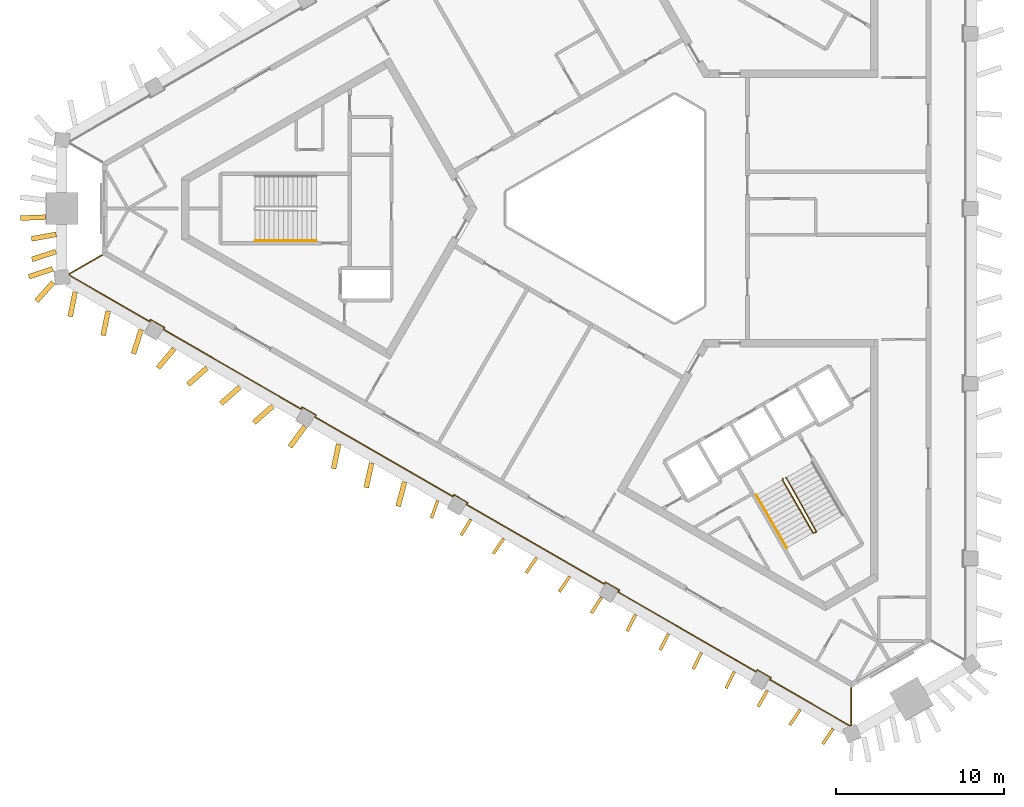
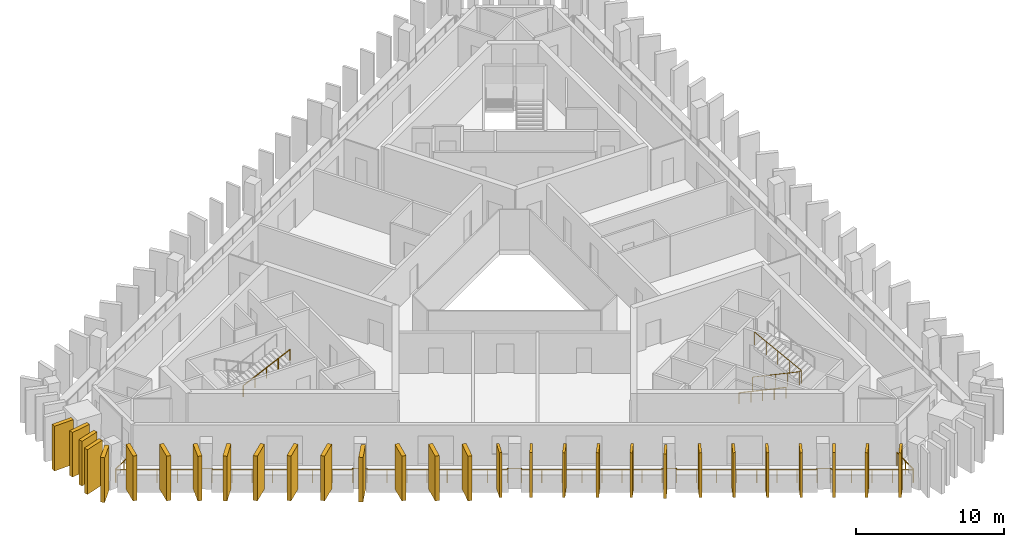
# One storey, part 7 of 9: 29 shading devices, 4 railings.
"""IFC4 building model written with IfcOpenShell, lengths in metres."""

from ifc_helpers import new_model, si_unit, direction, frame, frame_2d, origin, origin_2d, place, context, subcontext, project, spatial, rectangle, circle, extrude, material, layer, layer_set, type_object, element, save


model = new_model("IFC4")

# Units and contexts
model_context = context("Model", 3, precision=1e-05, world=origin(), true_north=direction((0.0, 1.0)))
body_context = subcontext(model_context, "Body", "Model", "MODEL_VIEW")
ifc_project = project(units=[si_unit("LENGTHUNIT", "METRE"), si_unit("AREAUNIT", "SQUARE_METRE"), si_unit("VOLUMEUNIT", "CUBIC_METRE"), si_unit("PLANEANGLEUNIT", "RADIAN"), si_unit("MASSUNIT", "GRAM", prefix="KILO")], contexts=[model_context])

# Site, building, storey
site_placement = place(None, origin())
site = spatial("IfcSite", under=ifc_project, at=site_placement, CompositionType="ELEMENT")
building_placement = place(site_placement, origin())
building = spatial("IfcBuilding", under=site, at=building_placement, Name="Jabali Bay Hotel Tower and Convention Centre", CompositionType="ELEMENT")
storey_placement = place(building_placement, frame((0.0, 0.0, 209.5)))
storey = spatial("IfcBuildingStorey", under=building, at=storey_placement, Name="L51", CompositionType="ELEMENT", Elevation=209.5)

# Railing
ifc_material_1 = material(Name="Glass", Category="glass")
railing_type_1 = type_object("IfcRailingType", Name="Loggia glass guard 1100", PredefinedType="BALUSTRADE", material=ifc_material_1)
railing_1_placement = place(storey_placement, frame((88.271484375, 51.465087890625, 0.0)))
element("IfcRailing", 1, at=railing_1_placement, inside=storey, type_object=railing_type_1, Name="Loggia glass guard L51", PredefinedType="BALUSTRADE", context=body_context, shape_type="SweptSolid", body=[
    extrude(circle(Radius=0.02490234375, at=origin_2d()), frame((0.0, 0.0, 1.0751953125), z_axis=(0.0, -1.0, 0.0), x_axis=(0.991444861374, 0.0, 0.13052619222)), (0.0, 0.0, 1.0), 2.247314453125),
    extrude(circle(Radius=0.02490234375, at=origin_2d()), frame((0.0, -2.247314453125, 1.0751953125), z_axis=(-0.91970817197, -0.392602697916, 0.0), x_axis=(0.38924392741, -0.911839941063, 0.13052619222)), (0.0, 0.0, 1.0), 0.067138671875),
    extrude(circle(Radius=0.02490234375, at=origin_2d()), frame((-0.061767578125, -2.273681640625, 1.0751953125), z_axis=(-0.866015380075, 0.500017361172, 0.0), x_axis=(-0.495739643332, -0.858606498446, 0.13052619222)), (0.0, 0.0, 1.0), 5.517822265625),
    extrude(circle(Radius=0.02490234375, at=origin_2d()), frame((-4.84033203125, 0.4853515625, 1.0751953125), z_axis=(0.500342721131, 0.865827443207, 0.0), x_axis=(-0.858420169404, 0.496062219791, 0.13052619222)), (0.0, 0.0, 1.0), 0.125),
    extrude(circle(Radius=0.02490234375, at=origin_2d()), frame((-4.77783203125, 0.593505859375, 1.0751953125), z_axis=(-0.865988727248, 0.500063520245, 0.0), x_axis=(-0.495785407507, -0.858580073638, 0.13052619222)), (0.0, 0.0, 1.0), 0.9501953125),
    extrude(circle(Radius=0.02490234375, at=origin_2d()), frame((-5.6005859375, 1.068603515625, 1.0751953125), z_axis=(-0.499497219344, -0.8663154898, 0.0), x_axis=(0.858904040691, -0.495223951389, 0.13052619222)), (0.0, 0.0, 1.0), 0.125244140625),
    extrude(circle(Radius=0.02490234375, at=origin_2d()), frame((-5.6630859375, 0.960205078125, 1.0751953125), z_axis=(-0.866013100591, 0.500021309151, 0.0), x_axis=(-0.495743557535, -0.858604238463, 0.13052619222)), (0.0, 0.0, 1.0), 9.4755859375),
    extrude(circle(Radius=0.02490234375, at=origin_2d()), frame((-13.869140625, 5.6982421875, 1.0751953125), z_axis=(0.500342721131, 0.865827443207, 0.0), x_axis=(-0.858420169404, 0.496062219791, 0.13052619222)), (0.0, 0.0, 1.0), 0.125),
    extrude(circle(Radius=0.02490234375, at=origin_2d()), frame((-13.806640625, 5.806396484375, 1.0751953125), z_axis=(-0.865988727248, 0.500063520245, 0.0), x_axis=(-0.495785407507, -0.858580073638, 0.13052619222)), (0.0, 0.0, 1.0), 0.9501953125),
    extrude(circle(Radius=0.02490234375, at=origin_2d()), frame((-14.62939453125, 6.281494140625, 1.0751953125), z_axis=(-0.499497219344, -0.8663154898, 0.0), x_axis=(0.858904040691, -0.495223951389, 0.13052619222)), (0.0, 0.0, 1.0), 0.125244140625),
    extrude(circle(Radius=0.02490234375, at=origin_2d()), frame((-14.69189453125, 6.173095703125, 1.0751953125), z_axis=(-0.866019542174, 0.50001015247, 0.0), x_axis=(-0.495732496301, -0.858610624938, 0.13052619222)), (0.0, 0.0, 1.0), 9.475830078125),
    extrude(circle(Radius=0.02490234375, at=origin_2d()), frame((-22.898193359375, 10.9111328125, 1.0751953125), z_axis=(0.500342721131, 0.865827443207, 0.0), x_axis=(-0.858420169404, 0.496062219791, 0.13052619222)), (0.0, 0.0, 1.0), 0.125),
    extrude(circle(Radius=0.02490234375, at=origin_2d()), frame((-22.835693359375, 11.019287109375, 1.0751953125), z_axis=(-0.865988727248, 0.500063520245, 0.0), x_axis=(-0.495785407507, -0.858580073638, 0.13052619222)), (0.0, 0.0, 1.0), 0.9501953125),
    extrude(circle(Radius=0.02490234375, at=origin_2d()), frame((-23.658447265625, 11.494384765625, 1.0751953125), z_axis=(-0.499497219344, -0.8663154898, 0.0), x_axis=(0.858904040691, -0.495223951389, 0.13052619222)), (0.0, 0.0, 1.0), 0.125244140625),
    extrude(circle(Radius=0.02490234375, at=origin_2d()), frame((-23.720947265625, 11.385986328125, 1.0751953125), z_axis=(-0.866024257407, 0.500001985578, 0.0), x_axis=(-0.495724399278, -0.858615299832, 0.13052619222)), (0.0, 0.0, 1.0), 9.4755859375),
    extrude(circle(Radius=0.02490234375, at=origin_2d()), frame((-31.927001953125, 16.123779296875, 1.0751953125), z_axis=(0.499497219344, 0.8663154898, 0.0), x_axis=(-0.858904040691, 0.495223951389, 0.13052619222)), (0.0, 0.0, 1.0), 0.125244140625),
    extrude(circle(Radius=0.02490234375, at=origin_2d()), frame((-31.864501953125, 16.232177734375, 1.0751953125), z_axis=(-0.866100000774, 0.49987077196, 0.0), x_axis=(-0.495594308211, -0.858690395203, 0.13052619222)), (0.0, 0.0, 1.0), 0.949951171875),
    extrude(circle(Radius=0.02490234375, at=origin_2d()), frame((-32.687255859375, 16.70703125, 1.0751953125), z_axis=(-0.500342721131, -0.865827443207, 0.0), x_axis=(0.858420169404, -0.496062219791, 0.13052619222)), (0.0, 0.0, 1.0), 0.125),
    extrude(circle(Radius=0.02490234375, at=origin_2d()), frame((-32.749755859375, 16.598876953125, 1.0751953125), z_axis=(-0.866030698575, 0.499990829041, 0.0), x_axis=(-0.495713338187, -0.858621685895, 0.13052619222)), (0.0, 0.0, 1.0), 9.475830078125),
    extrude(circle(Radius=0.02490234375, at=origin_2d()), frame((-40.9560546875, 21.336669921875, 1.0751953125), z_axis=(0.499497219344, 0.8663154898, 0.0), x_axis=(-0.858904040691, 0.495223951389, 0.13052619222)), (0.0, 0.0, 1.0), 0.125244140625),
    extrude(circle(Radius=0.02490234375, at=origin_2d()), frame((-40.8935546875, 21.445068359375, 1.0751953125), z_axis=(-0.866100000774, 0.49987077196, 0.0), x_axis=(-0.495594308211, -0.858690395203, 0.13052619222)), (0.0, 0.0, 1.0), 0.949951171875),
    extrude(circle(Radius=0.02490234375, at=origin_2d()), frame((-41.71630859375, 21.919921875, 1.0751953125), z_axis=(-0.500342721131, -0.865827443207, 0.0), x_axis=(0.858420169404, -0.496062219791, 0.13052619222)), (0.0, 0.0, 1.0), 0.125),
    extrude(circle(Radius=0.02490234375, at=origin_2d()), frame((-41.77880859375, 21.811767578125, 1.0751953125), z_axis=(-0.86603453913, 0.499984176783, 0.0), x_axis=(-0.49570674284, -0.858625493593, 0.13052619222)), (0.0, 0.0, 1.0), 5.517822265625),
    extrude(circle(Radius=0.02490234375, at=origin_2d()), frame((-46.557373046875, 24.570556640625, 1.0751953125), z_axis=(-0.120005554105, 0.99277322032, 0.0), x_axis=(-0.984279907796, -0.118978889953, 0.13052619222)), (0.0, 0.0, 1.0), 0.067138671875),
    extrude(circle(Radius=0.02490234375, at=origin_2d()), frame((-46.5654296875, 24.63720703125, 1.0751953125), z_axis=(0.866008297462, 0.50002962785, 0.0), x_axis=(-0.495751805066, 0.858599476426, 0.13052619222)), (0.0, 0.0, 1.0), 2.247314453125),
    extrude(circle(Radius=0.02001953125, at=origin_2d()), origin(), (0.0, 0.0, 1.0), 1.050048828125),
    extrude(circle(Radius=0.02001953125, at=origin_2d()), frame((0.0, -1.12353515625, 0.0)), (0.0, 0.0, 1.0), 1.050048828125),
    extrude(circle(Radius=0.02001953125, at=origin_2d()), frame((0.0, -2.247314453125, 0.0)), (0.0, 0.0, 1.0), 1.050048828125),
    extrude(circle(Radius=0.02001953125, at=origin_2d()), frame((-0.061767578125, -2.273681640625, 0.0)), (0.0, 0.0, 1.0), 1.050048828125),
    extrude(circle(Radius=0.02001953125, at=origin_2d()), frame((-1.25634765625, -1.583984375, 0.0)), (0.0, 0.0, 1.0), 1.050048828125),
    extrude(circle(Radius=0.02001953125, at=origin_2d()), frame((-2.451171875, -0.89404296875, 0.0)), (0.0, 0.0, 1.0), 1.050048828125),
    extrude(circle(Radius=0.02001953125, at=origin_2d()), frame((-3.645751953125, -0.204345703125, 0.0)), (0.0, 0.0, 1.0), 1.050048828125),
    extrude(circle(Radius=0.02001953125, at=origin_2d()), frame((-4.84033203125, 0.4853515625, 0.0)), (0.0, 0.0, 1.0), 1.050048828125),
    extrude(circle(Radius=0.02001953125, at=origin_2d()), frame((-4.77783203125, 0.593505859375, 0.0)), (0.0, 0.0, 1.0), 1.050048828125),
    extrude(circle(Radius=0.02001953125, at=origin_2d()), frame((-5.6005859375, 1.068603515625, 0.0)), (0.0, 0.0, 1.0), 1.050048828125),
    extrude(circle(Radius=0.02001953125, at=origin_2d()), frame((-5.6630859375, 0.960205078125, 0.0)), (0.0, 0.0, 1.0), 1.050048828125),
    extrude(circle(Radius=0.02001953125, at=origin_2d()), frame((-6.83544921875, 1.636962890625, 0.0)), (0.0, 0.0, 1.0), 1.050048828125),
    extrude(circle(Radius=0.02001953125, at=origin_2d()), frame((-8.007568359375, 2.31396484375, 0.0)), (0.0, 0.0, 1.0), 1.050048828125),
    extrude(circle(Radius=0.02001953125, at=origin_2d()), frame((-9.179931640625, 2.99072265625, 0.0)), (0.0, 0.0, 1.0), 1.050048828125),
    extrude(circle(Radius=0.02001953125, at=origin_2d()), frame((-10.352294921875, 3.667724609375, 0.0)), (0.0, 0.0, 1.0), 1.050048828125),
    extrude(circle(Radius=0.02001953125, at=origin_2d()), frame((-11.524658203125, 4.344482421875, 0.0)), (0.0, 0.0, 1.0), 1.050048828125),
    extrude(circle(Radius=0.02001953125, at=origin_2d()), frame((-12.69677734375, 5.021484375, 0.0)), (0.0, 0.0, 1.0), 1.050048828125),
    extrude(circle(Radius=0.02001953125, at=origin_2d()), frame((-13.869140625, 5.6982421875, 0.0)), (0.0, 0.0, 1.0), 1.050048828125),
    extrude(circle(Radius=0.02001953125, at=origin_2d()), frame((-13.806640625, 5.806396484375, 0.0)), (0.0, 0.0, 1.0), 1.050048828125),
    extrude(circle(Radius=0.02001953125, at=origin_2d()), frame((-14.62939453125, 6.281494140625, 0.0)), (0.0, 0.0, 1.0), 1.050048828125),
    extrude(circle(Radius=0.02001953125, at=origin_2d()), frame((-14.69189453125, 6.173095703125, 0.0)), (0.0, 0.0, 1.0), 1.050048828125),
    extrude(circle(Radius=0.02001953125, at=origin_2d()), frame((-15.8642578125, 6.849853515625, 0.0)), (0.0, 0.0, 1.0), 1.050048828125),
    extrude(circle(Radius=0.02001953125, at=origin_2d()), frame((-17.03662109375, 7.52685546875, 0.0)), (0.0, 0.0, 1.0), 1.050048828125),
    extrude(circle(Radius=0.02001953125, at=origin_2d()), frame((-18.208984375, 8.20361328125, 0.0)), (0.0, 0.0, 1.0), 1.050048828125),
    extrude(circle(Radius=0.02001953125, at=origin_2d()), frame((-19.381103515625, 8.880615234375, 0.0)), (0.0, 0.0, 1.0), 1.050048828125),
    extrude(circle(Radius=0.02001953125, at=origin_2d()), frame((-20.553466796875, 9.557373046875, 0.0)), (0.0, 0.0, 1.0), 1.050048828125),
    extrude(circle(Radius=0.02001953125, at=origin_2d()), frame((-21.725830078125, 10.234375, 0.0)), (0.0, 0.0, 1.0), 1.050048828125),
    extrude(circle(Radius=0.02001953125, at=origin_2d()), frame((-22.898193359375, 10.9111328125, 0.0)), (0.0, 0.0, 1.0), 1.050048828125),
    extrude(circle(Radius=0.02001953125, at=origin_2d()), frame((-22.835693359375, 11.019287109375, 0.0)), (0.0, 0.0, 1.0), 1.050048828125),
    extrude(circle(Radius=0.02001953125, at=origin_2d()), frame((-23.658447265625, 11.494384765625, 0.0)), (0.0, 0.0, 1.0), 1.050048828125),
    extrude(circle(Radius=0.02001953125, at=origin_2d()), frame((-23.720947265625, 11.385986328125, 0.0)), (0.0, 0.0, 1.0), 1.050048828125),
    extrude(circle(Radius=0.02001953125, at=origin_2d()), frame((-24.893310546875, 12.062744140625, 0.0)), (0.0, 0.0, 1.0), 1.050048828125),
    extrude(circle(Radius=0.02001953125, at=origin_2d()), frame((-26.0654296875, 12.73974609375, 0.0)), (0.0, 0.0, 1.0), 1.050048828125),
    extrude(circle(Radius=0.02001953125, at=origin_2d()), frame((-27.23779296875, 13.41650390625, 0.0)), (0.0, 0.0, 1.0), 1.050048828125),
    extrude(circle(Radius=0.02001953125, at=origin_2d()), frame((-28.41015625, 14.09326171875, 0.0)), (0.0, 0.0, 1.0), 1.050048828125),
    extrude(circle(Radius=0.02001953125, at=origin_2d()), frame((-29.58251953125, 14.77001953125, 0.0)), (0.0, 0.0, 1.0), 1.050048828125),
    extrude(circle(Radius=0.02001953125, at=origin_2d()), frame((-30.754638671875, 15.447021484375, 0.0)), (0.0, 0.0, 1.0), 1.050048828125),
    extrude(circle(Radius=0.02001953125, at=origin_2d()), frame((-31.927001953125, 16.123779296875, 0.0)), (0.0, 0.0, 1.0), 1.050048828125),
    extrude(circle(Radius=0.02001953125, at=origin_2d()), frame((-31.864501953125, 16.232177734375, 0.0)), (0.0, 0.0, 1.0), 1.050048828125),
    extrude(circle(Radius=0.02001953125, at=origin_2d()), frame((-32.687255859375, 16.70703125, 0.0)), (0.0, 0.0, 1.0), 1.050048828125),
    extrude(circle(Radius=0.02001953125, at=origin_2d()), frame((-32.749755859375, 16.598876953125, 0.0)), (0.0, 0.0, 1.0), 1.050048828125),
    extrude(circle(Radius=0.02001953125, at=origin_2d()), frame((-33.922119140625, 17.275634765625, 0.0)), (0.0, 0.0, 1.0), 1.050048828125),
    extrude(circle(Radius=0.02001953125, at=origin_2d()), frame((-35.094482421875, 17.95263671875, 0.0)), (0.0, 0.0, 1.0), 1.050048828125),
    extrude(circle(Radius=0.02001953125, at=origin_2d()), frame((-36.266845703125, 18.62939453125, 0.0)), (0.0, 0.0, 1.0), 1.050048828125),
    extrude(circle(Radius=0.02001953125, at=origin_2d()), frame((-37.43896484375, 19.30615234375, 0.0)), (0.0, 0.0, 1.0), 1.050048828125),
    extrude(circle(Radius=0.02001953125, at=origin_2d()), frame((-38.611328125, 19.98291015625, 0.0)), (0.0, 0.0, 1.0), 1.050048828125),
    extrude(circle(Radius=0.02001953125, at=origin_2d()), frame((-39.78369140625, 20.659912109375, 0.0)), (0.0, 0.0, 1.0), 1.050048828125),
    extrude(circle(Radius=0.02001953125, at=origin_2d()), frame((-40.9560546875, 21.336669921875, 0.0)), (0.0, 0.0, 1.0), 1.050048828125),
    extrude(circle(Radius=0.02001953125, at=origin_2d()), frame((-40.8935546875, 21.445068359375, 0.0)), (0.0, 0.0, 1.0), 1.050048828125),
    extrude(circle(Radius=0.02001953125, at=origin_2d()), frame((-41.71630859375, 21.919921875, 0.0)), (0.0, 0.0, 1.0), 1.050048828125),
    extrude(circle(Radius=0.02001953125, at=origin_2d()), frame((-41.77880859375, 21.811767578125, 0.0)), (0.0, 0.0, 1.0), 1.050048828125),
    extrude(circle(Radius=0.02001953125, at=origin_2d()), frame((-42.973388671875, 22.50146484375, 0.0)), (0.0, 0.0, 1.0), 1.050048828125),
    extrude(circle(Radius=0.02001953125, at=origin_2d()), frame((-44.16796875, 23.191162109375, 0.0)), (0.0, 0.0, 1.0), 1.050048828125),
    extrude(circle(Radius=0.02001953125, at=origin_2d()), frame((-45.36279296875, 23.880859375, 0.0)), (0.0, 0.0, 1.0), 1.050048828125),
    extrude(circle(Radius=0.02001953125, at=origin_2d()), frame((-46.557373046875, 24.570556640625, 0.0)), (0.0, 0.0, 1.0), 1.050048828125),
    extrude(circle(Radius=0.02001953125, at=origin_2d()), frame((-46.5654296875, 24.63720703125, 0.0)), (0.0, 0.0, 1.0), 1.050048828125),
    extrude(circle(Radius=0.02001953125, at=origin_2d()), frame((-45.59228515625, 25.19921875, 0.0)), (0.0, 0.0, 1.0), 1.050048828125),
    extrude(circle(Radius=0.02001953125, at=origin_2d()), frame((-44.619140625, 25.760986328125, 0.0)), (0.0, 0.0, 1.0), 1.050048828125),
])

# Shading devices
ifc_material_2 = material(Name="Precast concrete C60", Category="concrete")
ifc_layer_1 = layer(ifc_material_2, 0.179931640625)
ifc_layer_set_1 = layer_set([ifc_layer_1], Name="Precast concrete C60")
shading_device_type_1 = type_object("IfcShadingDeviceType", Name="Precast fin 3680 x 1100", PredefinedType="USERDEFINED", material=ifc_layer_set_1)
shading_device_1_placement = place(storey_placement, frame((63.652099609375, 62.609619140625, 0.010009765625), z_axis=(0.0, 0.0, 1.0), x_axis=(-0.337516946402, -0.941319452095, 0.0)))
element("IfcShadingDevice", 2, at=shading_device_1_placement, inside=storey, type_object=shading_device_type_1, Name="Fin L51 075", ObjectType="FIN", PredefinedType="USERDEFINED", context=body_context, shape_type="SweptSolid", body=[
    extrude(rectangle(XDim=1.10009765625, YDim=0.179931640625, at=frame_2d((0.550048828125, 0.0))), origin(), (0.0, 0.0, 1.0), 3.679931640625),
])
shading_device_2_placement = place(storey_placement, frame((65.620361328125, 61.4892578125, 0.010009765625), z_axis=(0.0, 0.0, 1.0), x_axis=(-0.521234578831, -0.853413448354, 0.0)))
element("IfcShadingDevice", 3, at=shading_device_2_placement, inside=storey, type_object=shading_device_type_1, Name="Fin L51 076", ObjectType="FIN", PredefinedType="USERDEFINED", context=body_context, shape_type="SweptSolid", body=[
    extrude(rectangle(XDim=1.100341796875, YDim=0.179931640625, at=frame_2d((0.55029296875, 0.0))), origin(), (0.0, 0.0, 1.0), 3.679931640625),
])
for number, where, z_axis, x_axis, name in (
    (4, (67.5791015625, 60.3525390625, 0.010009765625), (0.0, 0.0, 1.0), (-0.567084454292, -0.823659651616, 0.0), "Fin L51 077"),
    (5, (69.540771484375, 59.220947265625, 0.010009765625), (0.0, 0.0, 1.0), (-0.559301309772, -0.828964441269, 0.0), "Fin L51 078"),
    (6, (71.501953125, 58.0888671875, 0.010009765625), (0.0, 0.0, 1.0), (-0.556644989789, -0.830750477185, 0.0), "Fin L51 079"),
):
    element("IfcShadingDevice", number, at=place(storey_placement, frame(where, z_axis=z_axis, x_axis=x_axis)), inside=storey, type_object=shading_device_type_1, Name=name, ObjectType="FIN", PredefinedType="USERDEFINED", context=body_context, shape_type="SweptSolid", body=[
        extrude(rectangle(XDim=1.10009765625, YDim=0.179931640625, at=frame_2d((0.550048828125, 0.0))), origin(), (0.0, 0.0, 1.0), 3.679931640625),
    ])
shading_device_3_placement = place(storey_placement, frame((73.397705078125, 56.84326171875, 0.010009765625), z_axis=(0.0, 0.0, 1.0), x_axis=(-0.542035863072, -0.840355355278, 0.0)))
element("IfcShadingDevice", 7, at=shading_device_3_placement, inside=storey, type_object=shading_device_type_1, Name="Fin L51 080", ObjectType="FIN", PredefinedType="USERDEFINED", context=body_context, shape_type="SweptSolid", body=[
    extrude(rectangle(XDim=1.099853515625, YDim=0.179931640625, at=frame_2d((0.5498046875, 0.0))), origin(), (0.0, 0.0, 1.0), 3.679931640625),
])
shading_device_4_placement = place(storey_placement, frame((75.4248046875, 55.824951171875, 0.010009765625), z_axis=(0.0, 0.0, 1.0), x_axis=(-0.447657424835, -0.894205138651, 0.0)))
element("IfcShadingDevice", 8, at=shading_device_4_placement, inside=storey, type_object=shading_device_type_1, Name="Fin L51 081", ObjectType="FIN", PredefinedType="USERDEFINED", context=body_context, shape_type="SweptSolid", body=[
    extrude(rectangle(XDim=1.10009765625, YDim=0.179931640625, at=frame_2d((0.550048828125, 0.0))), origin(), (0.0, 0.0, 1.0), 3.679931640625),
])
for number, where, z_axis, x_axis, name in (
    (9, (77.3857421875, 54.692138671875, 0.010009765625), (0.0, 0.0, 1.0), (-0.442590842644, -0.896723673161, 0.0), "Fin L51 082"),
    (10, (79.346923828125, 53.559814453125, 0.010009765625), (0.0, 0.0, 1.0), (-0.442590842644, -0.896723673161, 0.0), "Fin L51 083"),
    (11, (81.30810546875, 52.427490234375, 0.010009765625), (0.0, 0.0, 1.0), (-0.442412334296, -0.896811756425, 0.0), "Fin L51 084"),
):
    element("IfcShadingDevice", number, at=place(storey_placement, frame(where, z_axis=z_axis, x_axis=x_axis)), inside=storey, type_object=shading_device_type_1, Name=name, ObjectType="FIN", PredefinedType="USERDEFINED", context=body_context, shape_type="SweptSolid", body=[
        extrude(rectangle(XDim=1.099853515625, YDim=0.179931640625, at=frame_2d((0.5498046875, 0.0))), origin(), (0.0, 0.0, 1.0), 3.679931640625),
    ])
for number, where, z_axis, x_axis, name in (
    (12, (83.272216796875, 51.300048828125, 0.010009765625), (0.0, 0.0, 1.0), (-0.496497427261, -0.868038193124, 0.0), "Fin L51 085"),
    (13, (85.23046875, 50.162841796875, 0.010009765625), (0.0, 0.0, 1.0), (-0.555980009223, -0.831195662491, 0.0), "Fin L51 086"),
    (14, (87.191650390625, 49.030517578125, 0.010009765625), (0.0, 0.0, 1.0), (-0.557053885514, -0.830476350436, 0.0), "Fin L51 087"),
):
    element("IfcShadingDevice", number, at=place(storey_placement, frame(where, z_axis=z_axis, x_axis=x_axis)), inside=storey, type_object=shading_device_type_1, Name=name, ObjectType="FIN", PredefinedType="USERDEFINED", context=body_context, shape_type="SweptSolid", body=[
        extrude(rectangle(XDim=1.10009765625, YDim=0.179931640625, at=frame_2d((0.550048828125, 0.0))), origin(), (0.0, 0.0, 1.0), 3.679931640625),
    ])
ifc_layer_2 = layer(ifc_material_2, 0.300048828125)
ifc_layer_set_2 = layer_set([ifc_layer_2], Name="Precast concrete C60")
shading_device_type_2 = type_object("IfcShadingDeviceType", Name="Precast fin 3680 x 1500", PredefinedType="USERDEFINED", material=ifc_layer_set_2)
shading_device_5_placement = place(storey_placement, frame((40.29736328125, 79.4873046875, 0.010009765625), z_axis=(0.0, 0.0, 1.0), x_axis=(-0.999334975904, -0.036463761949, 0.0)))
element("IfcShadingDevice", 15, at=shading_device_5_placement, inside=storey, type_object=shading_device_type_2, Name="Fin L51 060", ObjectType="FIN", PredefinedType="USERDEFINED", context=body_context, shape_type="SweptSolid", body=[
    extrude(rectangle(XDim=1.499755859375, YDim=0.300048828125, at=frame_2d((0.75, 0.0))), origin(), (0.0, 0.0, 1.0), 3.679931640625),
])
for number, where, z_axis, x_axis, name in (
    (16, (40.938720703125, 78.4619140625, 0.010009765625), (0.0, 0.0, 1.0), (-0.983815180607, -0.179186189222, 0.0), "Fin L51 061"),
    (17, (40.919189453125, 77.436279296875, 0.010009765625), (0.0, 0.0, 1.0), (-0.951080708969, -0.308942527062, 0.0), "Fin L51 062"),
):
    element("IfcShadingDevice", number, at=place(storey_placement, frame(where, z_axis=z_axis, x_axis=x_axis)), inside=storey, type_object=shading_device_type_2, Name=name, ObjectType="FIN", PredefinedType="USERDEFINED", context=body_context, shape_type="SweptSolid", body=[
        extrude(rectangle(XDim=1.5, YDim=0.300048828125, at=frame_2d((0.75, 0.0))), origin(), (0.0, 0.0, 1.0), 3.679931640625),
    ])
shading_device_6_placement = place(storey_placement, frame((40.731689453125, 76.410888671875, 0.010009765625), z_axis=(0.0, 0.0, 1.0), x_axis=(-0.948013799223, -0.318229220034, 0.0)))
element("IfcShadingDevice", 18, at=shading_device_6_placement, inside=storey, type_object=shading_device_type_2, Name="Fin L51 063", ObjectType="FIN", PredefinedType="USERDEFINED", context=body_context, shape_type="SweptSolid", body=[
    extrude(rectangle(XDim=1.499755859375, YDim=0.300048828125, at=frame_2d((0.75, 0.0))), origin(), (0.0, 0.0, 1.0), 3.679931640625),
])
for number, where, z_axis, x_axis, name in (
    (19, (42.06298828125, 75.03759765625, 0.010009765625), (0.0, 0.0, 1.0), (-0.198400456872, -0.980121042889, 0.0), "Fin L51 064"),
    (20, (44.024169921875, 73.9052734375, 0.010009765625), (0.0, 0.0, 1.0), (-0.198400456872, -0.980121042889, 0.0), "Fin L51 065"),
    (21, (45.993408203125, 72.78662109375, 0.010009765625), (0.0, 0.0, 1.0), (-0.305171375349, -0.952297449155, 0.0), "Fin L51 066"),
    (22, (47.95751953125, 71.65966796875, 0.010009765625), (0.0, 0.0, 1.0), (-0.640152379882, -0.768247961618, 0.0), "Fin L51 067"),
):
    element("IfcShadingDevice", number, at=place(storey_placement, frame(where, z_axis=z_axis, x_axis=x_axis)), inside=storey, type_object=shading_device_type_2, Name=name, ObjectType="FIN", PredefinedType="USERDEFINED", context=body_context, shape_type="SweptSolid", body=[
        extrude(rectangle(XDim=1.5, YDim=0.300048828125, at=frame_2d((0.75, 0.0))), origin(), (0.0, 0.0, 1.0), 3.679931640625),
    ])
shading_device_7_placement = place(storey_placement, frame((49.90771484375, 70.50830078125, 0.010009765625), z_axis=(0.0, 0.0, 1.0), x_axis=(-0.749605089459, -0.661885344948, 0.0)))
element("IfcShadingDevice", 23, at=shading_device_7_placement, inside=storey, type_object=shading_device_type_2, Name="Fin L51 068", ObjectType="FIN", PredefinedType="USERDEFINED", context=body_context, shape_type="SweptSolid", body=[
    extrude(rectangle(XDim=1.500244140625, YDim=0.300048828125, at=frame_2d((0.75, 0.0))), origin(), (0.0, 0.0, 1.0), 3.679931640625),
])
shading_device_8_placement = place(storey_placement, frame((51.868896484375, 69.3759765625, 0.010009765625), z_axis=(0.0, 0.0, 1.0), x_axis=(-0.74953377894, -0.661966097492, 0.0)))
element("IfcShadingDevice", 24, at=shading_device_8_placement, inside=storey, type_object=shading_device_type_2, Name="Fin L51 069", ObjectType="FIN", PredefinedType="USERDEFINED", context=body_context, shape_type="SweptSolid", body=[
    extrude(rectangle(XDim=1.5, YDim=0.300048828125, at=frame_2d((0.75, 0.0))), origin(), (0.0, 0.0, 1.0), 3.679931640625),
])
shading_device_9_placement = place(storey_placement, frame((53.830078125, 68.24365234375, 0.010009765625), z_axis=(0.0, 0.0, 1.0), x_axis=(-0.749462442317, -0.662046862055, 0.0)))
element("IfcShadingDevice", 25, at=shading_device_9_placement, inside=storey, type_object=shading_device_type_2, Name="Fin L51 070", ObjectType="FIN", PredefinedType="USERDEFINED", context=body_context, shape_type="SweptSolid", body=[
    extrude(rectangle(XDim=1.499755859375, YDim=0.300048828125, at=frame_2d((0.75, 0.0))), origin(), (0.0, 0.0, 1.0), 3.679931640625),
])
shading_device_10_placement = place(storey_placement, frame((55.740966796875, 67.02392578125, 0.010009765625), z_axis=(0.0, 0.0, 1.0), x_axis=(-0.590742634306, -0.806860049831, 0.0)))
element("IfcShadingDevice", 26, at=shading_device_10_placement, inside=storey, type_object=shading_device_type_2, Name="Fin L51 071", ObjectType="FIN", PredefinedType="USERDEFINED", context=body_context, shape_type="SweptSolid", body=[
    extrude(rectangle(XDim=1.500244140625, YDim=0.300048828125, at=frame_2d((0.75, 0.0))), origin(), (0.0, 0.0, 1.0), 3.679931640625),
])
for number, where, z_axis, x_axis, name in (
    (27, (57.7529296875, 65.9794921875, 0.010009765625), (0.0, 0.0, 1.0), (-0.201997358878, -0.979386066373, 0.0), "Fin L51 072"),
    (28, (59.715087890625, 64.8486328125, 0.010009765625), (0.0, 0.0, 1.0), (-0.214361845968, -0.976754318646, 0.0), "Fin L51 073"),
):
    element("IfcShadingDevice", number, at=place(storey_placement, frame(where, z_axis=z_axis, x_axis=x_axis)), inside=storey, type_object=shading_device_type_2, Name=name, ObjectType="FIN", PredefinedType="USERDEFINED", context=body_context, shape_type="SweptSolid", body=[
        extrude(rectangle(XDim=1.5, YDim=0.300048828125, at=frame_2d((0.75, 0.0))), origin(), (0.0, 0.0, 1.0), 3.679931640625),
    ])
shading_device_11_placement = place(storey_placement, frame((61.679443359375, 63.7216796875, 0.010009765625), z_axis=(0.0, 0.0, 1.0), x_axis=(-0.256375731021, -0.966577200509, 0.0)))
element("IfcShadingDevice", 29, at=shading_device_11_placement, inside=storey, type_object=shading_device_type_2, Name="Fin L51 074", ObjectType="FIN", PredefinedType="USERDEFINED", context=body_context, shape_type="SweptSolid", body=[
    extrude(rectangle(XDim=1.499755859375, YDim=0.300048828125, at=frame_2d((0.75, 0.0))), origin(), (0.0, 0.0, 1.0), 3.679931640625),
])
shading_device_12_placement = place(storey_placement, frame((40.7587890625, 75.61328125, 0.010009765625), z_axis=(0.0, 0.0, 1.0), x_axis=(-0.661885344948, -0.749605089459, 0.0)))
element("IfcShadingDevice", 30, at=shading_device_12_placement, inside=storey, type_object=shading_device_type_2, Name="Fin L51 100", ObjectType="FIN", PredefinedType="USERDEFINED", context=body_context, shape_type="SweptSolid", body=[
    extrude(rectangle(XDim=1.500244140625, YDim=0.300048828125, at=frame_2d((0.75, 0.0))), origin(), (0.0, 0.0, 1.0), 3.679931640625),
])

# Railings
ifc_material_3 = material(Name="Steel Q355B", Category="steel")
railing_type_2 = type_object("IfcRailingType", Name="Stair guard 1100", PredefinedType="GUARDRAIL", material=ifc_material_3)
railing_2_placement = place(storey_placement, frame((84.199951171875, 63.9150390625, 0.0)))
element("IfcRailing", 31, at=railing_2_placement, inside=storey, type_object=railing_type_2, Name="L51 ST3 stair guard 1", PredefinedType="GUARDRAIL", context=body_context, shape_type="SweptSolid", body=[
    extrude(circle(Radius=0.02392578125, at=origin_2d()), frame((0.0, 0.0, 1.076171875), z_axis=(-0.122196845461, -0.456201556387, 0.881446578591), x_axis=(0.965948051503, -0.258736085224, 0.0)), (0.0, 0.0, 1.0), 0.14990234375),
    extrude(circle(Radius=0.02392578125, at=origin_2d()), frame((-0.018310546875, -0.068359375, 1.2080078125), z_axis=(0.45217862506, -0.783169739339, 0.426825081763), x_axis=(0.866018046521, 0.500012742938, 0.0)), (0.0, 0.0, 1.0), 4.025146484375),
    extrude(circle(Radius=0.02392578125, at=origin_2d()), frame((1.8017578125, -3.220703125, 2.92626953125), z_axis=(0.96121063429, 0.275815366736, 0.0), x_axis=(-0.275815366736, 0.96121063429, 0.0)), (0.0, 0.0, 1.0), 0.206298828125),
    extrude(circle(Radius=0.02392578125, at=origin_2d()), frame((2.0, -3.163818359375, 2.92626953125), z_axis=(-0.436481798955, 0.780166857725, 0.448133142368), x_axis=(-0.872702246529, -0.488252792008, 0.0)), (0.0, 0.0, 1.0), 4.1279296875),
    extrude(circle(Radius=0.02099609375, at=origin_2d()), origin(), (0.0, 0.0, 1.0), 1.052001953125),
    extrude(circle(Radius=0.02099609375, at=origin_2d()), frame((-0.018310546875, -0.068359375, 0.132080078125)), (0.0, 0.0, 1.0), 1.052001953125),
    extrude(circle(Radius=0.02099609375, at=origin_2d()), frame((0.436767578125, -0.8564453125, 0.5615234375)), (0.0, 0.0, 1.0), 1.052001953125),
    extrude(circle(Radius=0.02099609375, at=origin_2d()), frame((0.8916015625, -1.64453125, 0.9912109375)), (0.0, 0.0, 1.0), 1.052001953125),
    extrude(circle(Radius=0.02099609375, at=origin_2d()), frame((1.3466796875, -2.4326171875, 1.420654296875)), (0.0, 0.0, 1.0), 1.052001953125),
    extrude(circle(Radius=0.02099609375, at=origin_2d()), frame((1.8017578125, -3.220703125, 1.85009765625)), (0.0, 0.0, 1.0), 1.052001953125),
    extrude(circle(Radius=0.02099609375, at=origin_2d()), frame((2.0, -3.163818359375, 1.85009765625)), (0.0, 0.0, 1.0), 1.052001953125),
    extrude(circle(Radius=0.02099609375, at=origin_2d()), frame((1.549560546875, -2.358642578125, 2.3125)), (0.0, 0.0, 1.0), 1.052001953125),
    extrude(circle(Radius=0.02099609375, at=origin_2d()), frame((1.09912109375, -1.5537109375, 2.77490234375)), (0.0, 0.0, 1.0), 1.052001953125),
    extrude(circle(Radius=0.02099609375, at=origin_2d()), frame((0.648681640625, -0.74853515625, 3.237548828125)), (0.0, 0.0, 1.0), 1.052001953125),
    extrude(circle(Radius=0.02099609375, at=origin_2d()), frame((0.1982421875, 0.056640625, 3.699951171875)), (0.0, 0.0, 1.0), 1.052001953125),
])
railing_type_3 = type_object("IfcRailingType", Name="Stair handrail 900", PredefinedType="HANDRAIL", material=ifc_material_3)
railing_3_placement = place(storey_placement, frame((52.780029296875, 78.074951171875, 1.982177734375)))
element("IfcRailing", 32, at=railing_3_placement, inside=storey, type_object=railing_type_3, Name="L51 ST1 stair handrail 2", PredefinedType="HANDRAIL", context=body_context, shape_type="SweptSolid", body=[
    extrude(circle(Radius=0.02392578125, at=origin_2d()), frame((0.0, 0.0, 0.8759765625), z_axis=(0.904350763662, 0.0, 0.426789990819), x_axis=(0.0, 1.0, 0.0)), (0.0, 0.0, 1.0), 4.02490234375),
    extrude(circle(Radius=0.02099609375, at=origin_2d()), origin(), (0.0, 0.0, 1.0), 0.851806640625),
    extrude(circle(Radius=0.02099609375, at=origin_2d()), frame((0.909912109375, 0.0, 0.429443359375)), (0.0, 0.0, 1.0), 0.851806640625),
    extrude(circle(Radius=0.02099609375, at=origin_2d()), frame((1.81982421875, 0.0, 0.85888671875)), (0.0, 0.0, 1.0), 0.851806640625),
    extrude(circle(Radius=0.02099609375, at=origin_2d()), frame((2.72998046875, 0.0, 1.288330078125)), (0.0, 0.0, 1.0), 0.851806640625),
    extrude(circle(Radius=0.02099609375, at=origin_2d()), frame((3.639892578125, 0.0, 1.7177734375)), (0.0, 0.0, 1.0), 0.851806640625),
])
railing_4_placement = place(storey_placement, frame((82.622802734375, 62.94677734375, 0.132080078125)))
element("IfcRailing", 33, at=railing_4_placement, inside=storey, type_object=railing_type_3, Name="L51 ST3 stair handrail 1", PredefinedType="HANDRAIL", context=body_context, shape_type="SweptSolid", body=[
    extrude(circle(Radius=0.02392578125, at=origin_2d()), frame((0.0, 0.0, 0.8759765625), z_axis=(0.45217862506, -0.783169739339, 0.426825081763), x_axis=(0.866018046521, 0.500012742938, 0.0)), (0.0, 0.0, 1.0), 4.025146484375),
    extrude(circle(Radius=0.02099609375, at=origin_2d()), origin(), (0.0, 0.0, 1.0), 0.851806640625),
    extrude(circle(Radius=0.02099609375, at=origin_2d()), frame((0.455078125, -0.7880859375, 0.429443359375)), (0.0, 0.0, 1.0), 0.851806640625),
    extrude(circle(Radius=0.02099609375, at=origin_2d()), frame((0.91015625, -1.576171875, 0.85888671875)), (0.0, 0.0, 1.0), 0.851806640625),
    extrude(circle(Radius=0.02099609375, at=origin_2d()), frame((1.364990234375, -2.3642578125, 1.28857421875)), (0.0, 0.0, 1.0), 0.851806640625),
    extrude(circle(Radius=0.02099609375, at=origin_2d()), frame((1.820068359375, -3.15234375, 1.718017578125)), (0.0, 0.0, 1.0), 0.851806640625),
])

save(model, "model.ifc")
